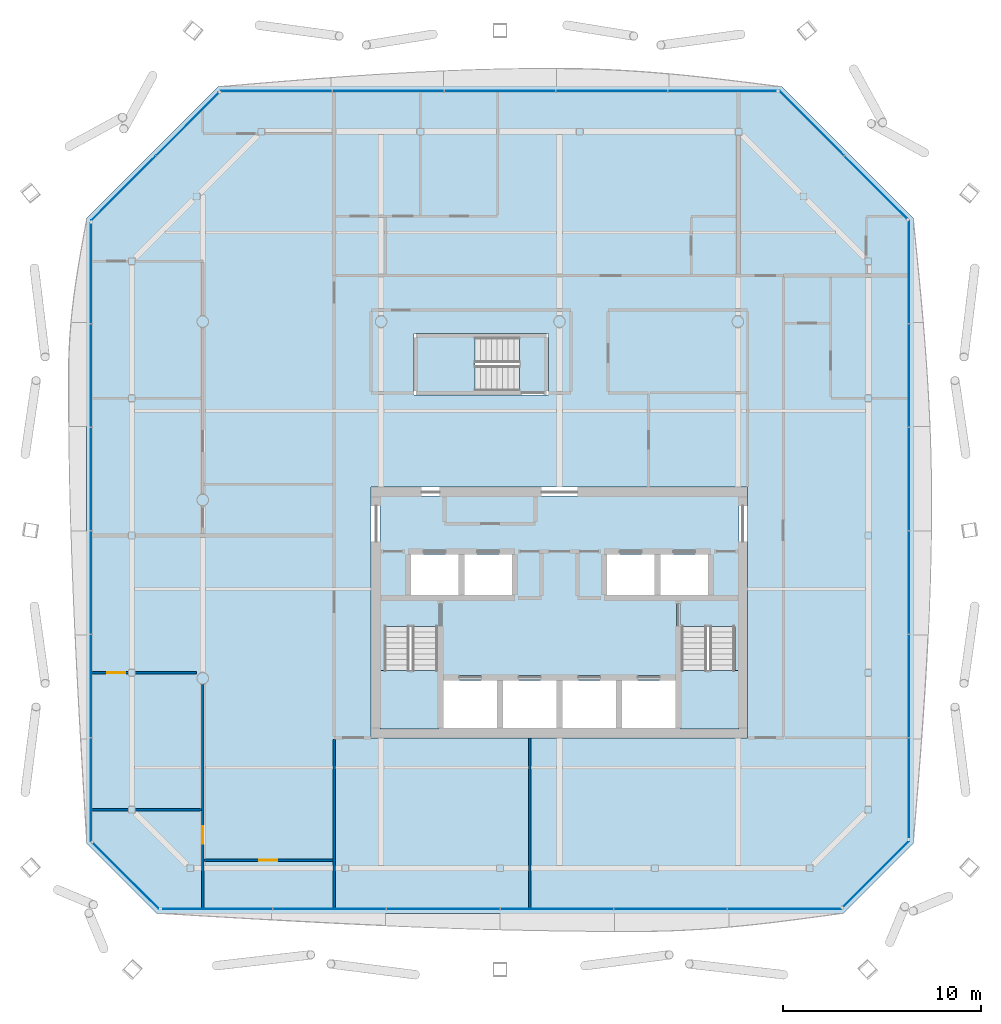
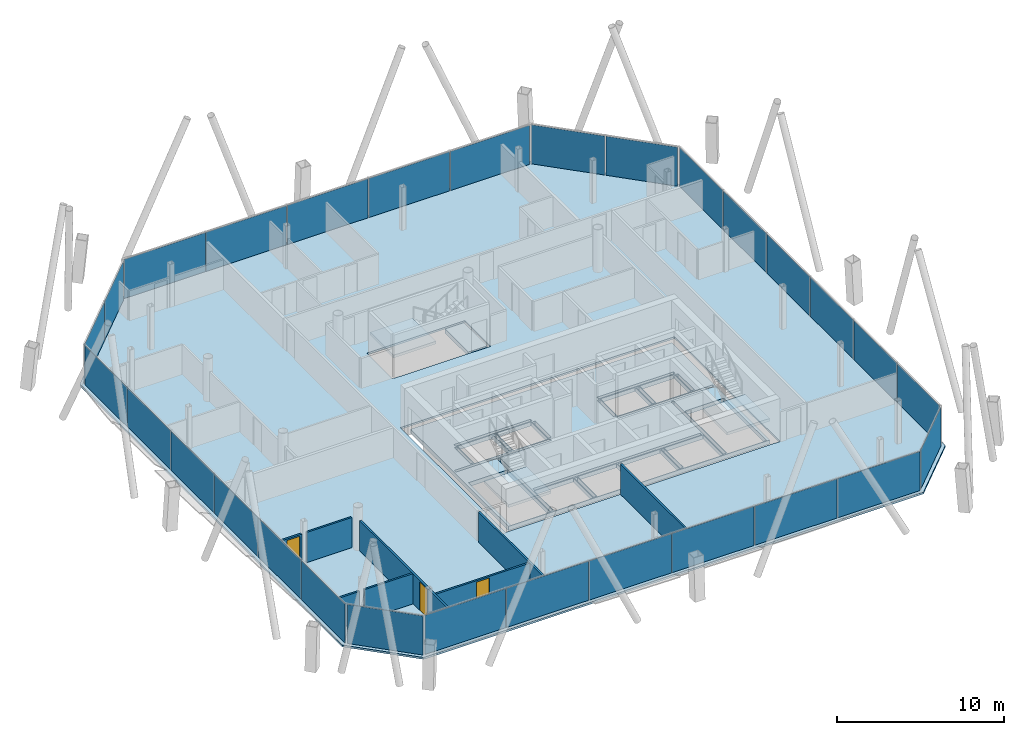
# One storey, part 13 of 20: 29 plates, 8 walls, 6 slabs, 3 doors, 3 openings, 11 elements without a shape of their own.
"""IFC4 building model written with IfcOpenShell, lengths in metres."""

from ifc_helpers import new_model, si_unit, direction, frame, frame_2d, origin, origin_2d, place, context, subcontext, project, spatial, polyline, rectangle, outline, extrude, material, layer, layer_set, type_object, element, fill, aggregate, save


model = new_model("IFC4")

# Units and contexts
model_context = context("Model", 3, precision=1e-05, world=origin(), true_north=direction((0.0, 1.0)))
body_context = subcontext(model_context, "Body", "Model", "MODEL_VIEW")
ifc_project = project(units=[si_unit("LENGTHUNIT", "METRE"), si_unit("AREAUNIT", "SQUARE_METRE"), si_unit("VOLUMEUNIT", "CUBIC_METRE"), si_unit("PLANEANGLEUNIT", "RADIAN"), si_unit("MASSUNIT", "GRAM", prefix="KILO")], contexts=[model_context])

# Site, building, storey
site_placement = place(None, origin())
site = spatial("IfcSite", under=ifc_project, at=site_placement, CompositionType="ELEMENT")
building_placement = place(site_placement, origin())
building = spatial("IfcBuilding", under=site, at=building_placement, Name="Tskaro Facet Tower", CompositionType="ELEMENT")
storey_placement = place(building_placement, frame((0.0, 0.0, 181.64990234375)))
storey = spatial("IfcBuildingStorey", under=building, at=storey_placement, Name="L45", CompositionType="ELEMENT", Elevation=181.64990234375)

# Slab
ifc_material_1 = material(Name="Concrete C30/37", Category="concrete")
ifc_layer_1 = layer(ifc_material_1, 0.139892578125, Name="Concrete C30/37")
ifc_layer_set_1 = layer_set([ifc_layer_1], Name="Concrete C30/37")
slab_type_1 = type_object("IfcSlabType", Name="Composite deck floor slab", PredefinedType="FLOOR", material=ifc_layer_set_1)
slab_1_placement = place(storey_placement, frame((0.0, 0.0, -0.139892578125)))
element("IfcSlab", 1, at=slab_1_placement, inside=storey, type_object=slab_type_1, Name="Floor slab FS3 L45", PredefinedType="FLOOR", context=body_context, shape_type="SweptSolid", body=[
    extrude(outline(polyline([(-20.31298828125, -20.8779296875), (14.31298828125, -20.8779296875), (17.8779296875, -17.31298828125), (17.8779296875, 14.2041015625), (11.2041015625, 20.8779296875), (-17.2041015625, 20.8779296875), (-23.8779296875, 14.2041015625), (-23.8779296875, -17.31298828125), (-20.31298828125, -20.8779296875)]), holes=[polyline([(-9.5, -12.0), (9.5, -12.0), (9.5, 0.64990234375), (-9.5, 0.64990234375), (-9.5, -12.0)]), polyline([(-7.35009765625, 5.300048828125), (-0.550048828125, 5.300048828125), (-0.550048828125, 8.39990234375), (-7.35009765625, 8.39990234375), (-7.35009765625, 5.300048828125)])]), origin(), (0.0, 0.0, 1.0), 0.139892578125),
])

# Curtain wall, plates
ifc_material_2 = material(Name="Bronze anodised aluminium 6063-T6", Category="aluminium")
curtain_wall_type = type_object("IfcCurtainWallType", Name="Bronze residence curtain wall (FW3)", PredefinedType="NOTDEFINED", material=ifc_material_2)
curtain_wall_1_placement = place(storey_placement, origin())
curtain_wall_1 = element("IfcCurtainWall", 2, at=curtain_wall_1_placement, inside=storey, type_object=curtain_wall_type, Name="FW3 south facet L45", PredefinedType="NOTDEFINED")
ifc_material_3 = material(Name="Bronze low-iron glass", Category="glass")
ifc_layer_2 = layer(ifc_material_3, 0.028076171875, Name="Bronze low-iron glass")
ifc_layer_set_2 = layer_set([ifc_layer_2], Name="Bronze low-iron glass")
plate_type = type_object("IfcPlateType", Name="FW3 bronze-tinted unit glazing 28", PredefinedType="CURTAIN_PANEL", material=ifc_layer_set_2)
plate_1_placement = place(storey_placement, frame((-17.283447265625, -20.6279296875, 0.0), z_axis=(0.0, 0.0, 1.0), x_axis=(1.0, 0.0, 0.0)))
plate_1 = element("IfcPlate", 3, at=plate_1_placement, type_object=plate_type, Name="FW3 south glazing 1.1", PredefinedType="CURTAIN_PANEL", context=body_context, shape_type="SweptSolid", body=[
    extrude(rectangle(XDim=5.5712890625, YDim=0.028076171875, at=origin_2d()), origin(), (0.0, 0.0, 1.0), 2.860107421875),
])
plate_2_placement = place(storey_placement, frame((-11.6044921875, -20.6279296875, 0.0), z_axis=(0.0, 0.0, 1.0), x_axis=(1.0, 0.0, 0.0)))
plate_2 = element("IfcPlate", 4, at=plate_2_placement, type_object=plate_type, Name="FW3 south glazing 2.1", PredefinedType="CURTAIN_PANEL", context=body_context, shape_type="SweptSolid", body=[
    extrude(rectangle(XDim=5.686279296875, YDim=0.028076171875, at=origin_2d()), origin(), (0.0, 0.0, 1.0), 2.860107421875),
])
plate_3_placement = place(storey_placement, frame((-5.8681640625, -20.6279296875, 0.0), z_axis=(0.0, 0.0, 1.0), x_axis=(1.0, 0.0, 0.0)))
plate_3 = element("IfcPlate", 5, at=plate_3_placement, type_object=plate_type, Name="FW3 south glazing 3.1", PredefinedType="CURTAIN_PANEL", context=body_context, shape_type="SweptSolid", body=[
    extrude(rectangle(XDim=5.686279296875, YDim=0.028076171875, at=origin_2d()), origin(), (0.0, 0.0, 1.0), 2.860107421875),
])
plate_4_placement = place(storey_placement, frame((-0.1318359375, -20.6279296875, 0.0), z_axis=(0.0, 0.0, 1.0), x_axis=(1.0, 0.0, 0.0)))
plate_4 = element("IfcPlate", 6, at=plate_4_placement, type_object=plate_type, Name="FW3 south glazing 4.1", PredefinedType="CURTAIN_PANEL", context=body_context, shape_type="SweptSolid", body=[
    extrude(rectangle(XDim=5.686279296875, YDim=0.028076171875, at=origin_2d()), origin(), (0.0, 0.0, 1.0), 2.860107421875),
])
plate_5_placement = place(storey_placement, frame((5.6044921875, -20.6279296875, 0.0), z_axis=(0.0, 0.0, 1.0), x_axis=(1.0, 0.0, 0.0)))
plate_5 = element("IfcPlate", 7, at=plate_5_placement, type_object=plate_type, Name="FW3 south glazing 5.1", PredefinedType="CURTAIN_PANEL", context=body_context, shape_type="SweptSolid", body=[
    extrude(rectangle(XDim=5.686279296875, YDim=0.028076171875, at=origin_2d()), origin(), (0.0, 0.0, 1.0), 2.860107421875),
])
plate_6_placement = place(storey_placement, frame((11.353271484375, -20.6279296875, 0.0), z_axis=(0.0, 0.0, 1.0), x_axis=(1.0, 0.0, 0.0)))
plate_6 = element("IfcPlate", 8, at=plate_6_placement, type_object=plate_type, Name="FW3 south glazing 6.1", PredefinedType="CURTAIN_PANEL", context=body_context, shape_type="SweptSolid", body=[
    extrude(rectangle(XDim=5.71142578125, YDim=0.028076171875, at=origin_2d()), origin(), (0.0, 0.0, 1.0), 2.860107421875),
])
aggregate(curtain_wall_1, [plate_1, plate_2, plate_3, plate_4, plate_5, plate_6])

# Curtain wall, plate
curtain_wall_2_placement = place(storey_placement, origin())
curtain_wall_2 = element("IfcCurtainWall", 9, at=curtain_wall_2_placement, inside=storey, type_object=curtain_wall_type, Name="FW3 south-east facet L45", PredefinedType="NOTDEFINED")
plate_7_placement = place(storey_placement, frame((15.968017578125, -18.868896484375, 0.0), z_axis=(0.0, 0.0, 1.0), x_axis=(0.707106781187, 0.707106781187, 0.0)))
plate_7 = element("IfcPlate", 10, at=plate_7_placement, type_object=plate_type, Name="FW3 south-east glazing 1.1", PredefinedType="CURTAIN_PANEL", context=body_context, shape_type="SweptSolid", body=[
    extrude(rectangle(XDim=4.6953125, YDim=0.028076171875, at=origin_2d()), origin(), (0.0, 0.0, 1.0), 2.860107421875),
])
aggregate(curtain_wall_2, [plate_7])

# Curtain wall, plates
curtain_wall_3_placement = place(storey_placement, origin())
curtain_wall_3 = element("IfcCurtainWall", 11, at=curtain_wall_3_placement, inside=storey, type_object=curtain_wall_type, Name="FW3 east facet L45", PredefinedType="NOTDEFINED")
plate_8_placement = place(storey_placement, frame((17.6279296875, -14.54248046875, 0.0), z_axis=(0.0, 0.0, 1.0), x_axis=(0.0, 1.0, 0.0)))
plate_8 = element("IfcPlate", 12, at=plate_8_placement, type_object=plate_type, Name="FW3 east glazing 1.1", PredefinedType="CURTAIN_PANEL", context=body_context, shape_type="SweptSolid", body=[
    extrude(rectangle(XDim=5.05322265625, YDim=0.028076171875, at=origin_2d()), origin(), (0.0, 0.0, 1.0), 2.860107421875),
])
plate_9_placement = place(storey_placement, frame((17.6279296875, -9.3818359375, 0.0), z_axis=(0.0, 0.0, 1.0), x_axis=(0.0, 1.0, 0.0)))
plate_9 = element("IfcPlate", 13, at=plate_9_placement, type_object=plate_type, Name="FW3 east glazing 2.1", PredefinedType="CURTAIN_PANEL", context=body_context, shape_type="SweptSolid", body=[
    extrude(rectangle(XDim=5.168212890625, YDim=0.028076171875, at=origin_2d()), origin(), (0.0, 0.0, 1.0), 2.860107421875),
])
plate_10_placement = place(storey_placement, frame((17.6279296875, -4.16357421875, 0.0), z_axis=(0.0, 0.0, 1.0), x_axis=(0.0, 1.0, 0.0)))
plate_10 = element("IfcPlate", 14, at=plate_10_placement, type_object=plate_type, Name="FW3 east glazing 3.1", PredefinedType="CURTAIN_PANEL", context=body_context, shape_type="SweptSolid", body=[
    extrude(rectangle(XDim=5.168212890625, YDim=0.028076171875, at=origin_2d()), origin(), (0.0, 0.0, 1.0), 2.860107421875),
])
plate_11_placement = place(storey_placement, frame((17.6279296875, 1.0546875, 0.0), z_axis=(0.0, 0.0, 1.0), x_axis=(0.0, 1.0, 0.0)))
plate_11 = element("IfcPlate", 15, at=plate_11_placement, type_object=plate_type, Name="FW3 east glazing 4.1", PredefinedType="CURTAIN_PANEL", context=body_context, shape_type="SweptSolid", body=[
    extrude(rectangle(XDim=5.168212890625, YDim=0.028076171875, at=origin_2d()), origin(), (0.0, 0.0, 1.0), 2.860107421875),
])
plate_12_placement = place(storey_placement, frame((17.6279296875, 6.272705078125, 0.0), z_axis=(0.0, 0.0, 1.0), x_axis=(0.0, 1.0, 0.0)))
plate_12 = element("IfcPlate", 16, at=plate_12_placement, type_object=plate_type, Name="FW3 east glazing 5.1", PredefinedType="CURTAIN_PANEL", context=body_context, shape_type="SweptSolid", body=[
    extrude(rectangle(XDim=5.168212890625, YDim=0.028076171875, at=origin_2d()), origin(), (0.0, 0.0, 1.0), 2.860107421875),
])
plate_13_placement = place(storey_placement, frame((17.6279296875, 11.50341796875, 0.0), z_axis=(0.0, 0.0, 1.0), x_axis=(0.0, 1.0, 0.0)))
plate_13 = element("IfcPlate", 17, at=plate_13_placement, type_object=plate_type, Name="FW3 east glazing 6.1", PredefinedType="CURTAIN_PANEL", context=body_context, shape_type="SweptSolid", body=[
    extrude(rectangle(XDim=5.193115234375, YDim=0.028076171875, at=origin_2d()), origin(), (0.0, 0.0, 1.0), 2.860107421875),
])
aggregate(curtain_wall_3, [plate_8, plate_9, plate_10, plate_11, plate_12, plate_13])

curtain_wall_4_placement = place(storey_placement, origin())
curtain_wall_4 = element("IfcCurtainWall", 18, at=curtain_wall_4_placement, inside=storey, type_object=curtain_wall_type, Name="FW3 north-east facet L45", PredefinedType="NOTDEFINED")
plate_14_placement = place(storey_placement, frame((15.955322265625, 15.772705078125, 0.0), z_axis=(0.0, 0.0, 1.0), x_axis=(-0.707106781187, 0.707106781187, 0.0)))
plate_14 = element("IfcPlate", 19, at=plate_14_placement, type_object=plate_type, Name="FW3 north-east glazing 1.1", PredefinedType="CURTAIN_PANEL", context=body_context, shape_type="SweptSolid", body=[
    extrude(rectangle(XDim=4.450927734375, YDim=0.028076171875, at=origin_2d()), origin(), (0.0, 0.0, 1.0), 2.860107421875),
])
plate_15_placement = place(storey_placement, frame((12.72314453125, 19.0048828125, 0.0), z_axis=(0.0, 0.0, 1.0), x_axis=(-0.707106781187, 0.707106781187, 0.0)))
plate_15 = element("IfcPlate", 20, at=plate_15_placement, type_object=plate_type, Name="FW3 north-east glazing 2.1", PredefinedType="CURTAIN_PANEL", context=body_context, shape_type="SweptSolid", body=[
    extrude(rectangle(XDim=4.591064453125, YDim=0.028076171875, at=origin_2d()), origin(), (0.0, 0.0, 1.0), 2.860107421875),
])
aggregate(curtain_wall_4, [plate_14, plate_15])

curtain_wall_5_placement = place(storey_placement, origin())
curtain_wall_5 = element("IfcCurtainWall", 21, at=curtain_wall_5_placement, inside=storey, type_object=curtain_wall_type, Name="FW3 north facet L45", PredefinedType="NOTDEFINED")
plate_16_placement = place(storey_placement, frame((8.222412109375, 20.6279296875, 0.0), z_axis=(0.0, 0.0, 1.0), x_axis=(-1.0, 0.0, 0.0)))
plate_16 = element("IfcPlate", 22, at=plate_16_placement, type_object=plate_type, Name="FW3 north glazing 1.1", PredefinedType="CURTAIN_PANEL", context=body_context, shape_type="SweptSolid", body=[
    extrude(rectangle(XDim=5.47509765625, YDim=0.028076171875, at=origin_2d()), origin(), (0.0, 0.0, 1.0), 2.860107421875),
])
plate_17_placement = place(storey_placement, frame((2.639892578125, 20.6279296875, 0.0), z_axis=(0.0, 0.0, 1.0), x_axis=(-1.0, 0.0, 0.0)))
plate_17 = element("IfcPlate", 23, at=plate_17_placement, type_object=plate_type, Name="FW3 north glazing 2.1", PredefinedType="CURTAIN_PANEL", context=body_context, shape_type="SweptSolid", body=[
    extrude(rectangle(XDim=5.590087890625, YDim=0.028076171875, at=origin_2d()), origin(), (0.0, 0.0, 1.0), 2.860107421875),
])
plate_18_placement = place(storey_placement, frame((-3.0, 20.6279296875, 0.0), z_axis=(0.0, 0.0, 1.0), x_axis=(-1.0, 0.0, 0.0)))
plate_18 = element("IfcPlate", 24, at=plate_18_placement, type_object=plate_type, Name="FW3 north glazing 3.1", PredefinedType="CURTAIN_PANEL", context=body_context, shape_type="SweptSolid", body=[
    extrude(rectangle(XDim=5.590087890625, YDim=0.028076171875, at=origin_2d()), origin(), (0.0, 0.0, 1.0), 2.860107421875),
])
plate_19_placement = place(storey_placement, frame((-8.639892578125, 20.6279296875, 0.0), z_axis=(0.0, 0.0, 1.0), x_axis=(-1.0, 0.0, 0.0)))
plate_19 = element("IfcPlate", 25, at=plate_19_placement, type_object=plate_type, Name="FW3 north glazing 4.1", PredefinedType="CURTAIN_PANEL", context=body_context, shape_type="SweptSolid", body=[
    extrude(rectangle(XDim=5.590087890625, YDim=0.028076171875, at=origin_2d()), origin(), (0.0, 0.0, 1.0), 2.860107421875),
])
plate_20_placement = place(storey_placement, frame((-14.29248046875, 20.6279296875, 0.0), z_axis=(0.0, 0.0, 1.0), x_axis=(-1.0, 0.0, 0.0)))
plate_20 = element("IfcPlate", 26, at=plate_20_placement, type_object=plate_type, Name="FW3 north glazing 5.1", PredefinedType="CURTAIN_PANEL", context=body_context, shape_type="SweptSolid", body=[
    extrude(rectangle(XDim=5.614990234375, YDim=0.028076171875, at=origin_2d()), origin(), (0.0, 0.0, 1.0), 2.860107421875),
])
aggregate(curtain_wall_5, [plate_16, plate_17, plate_18, plate_19, plate_20])

curtain_wall_6_placement = place(storey_placement, origin())
curtain_wall_6 = element("IfcCurtainWall", 27, at=curtain_wall_6_placement, inside=storey, type_object=curtain_wall_type, Name="FW3 north-west facet L45", PredefinedType="NOTDEFINED")
plate_21_placement = place(storey_placement, frame((-18.772705078125, 18.955322265625, 0.0), z_axis=(0.0, 0.0, 1.0), x_axis=(-0.707106781187, -0.707106781187, 0.0)))
plate_21 = element("IfcPlate", 28, at=plate_21_placement, type_object=plate_type, Name="FW3 north-west glazing 1.1", PredefinedType="CURTAIN_PANEL", context=body_context, shape_type="SweptSolid", body=[
    extrude(rectangle(XDim=4.450927734375, YDim=0.028076171875, at=origin_2d()), origin(), (0.0, 0.0, 1.0), 2.860107421875),
])
plate_22_placement = place(storey_placement, frame((-22.0048828125, 15.72314453125, 0.0), z_axis=(0.0, 0.0, 1.0), x_axis=(-0.707106781187, -0.707106781187, 0.0)))
plate_22 = element("IfcPlate", 29, at=plate_22_placement, type_object=plate_type, Name="FW3 north-west glazing 2.1", PredefinedType="CURTAIN_PANEL", context=body_context, shape_type="SweptSolid", body=[
    extrude(rectangle(XDim=4.591064453125, YDim=0.028076171875, at=origin_2d()), origin(), (0.0, 0.0, 1.0), 2.860107421875),
])
aggregate(curtain_wall_6, [plate_21, plate_22])

curtain_wall_7_placement = place(storey_placement, origin())
curtain_wall_7 = element("IfcCurtainWall", 30, at=curtain_wall_7_placement, inside=storey, type_object=curtain_wall_type, Name="FW3 west facet L45", PredefinedType="NOTDEFINED")
plate_23_placement = place(storey_placement, frame((-23.6279296875, 11.433349609375, 0.0), z_axis=(0.0, 0.0, 1.0), x_axis=(0.0, -1.0, 0.0)))
plate_23 = element("IfcPlate", 31, at=plate_23_placement, type_object=plate_type, Name="FW3 west glazing 1.1", PredefinedType="CURTAIN_PANEL", context=body_context, shape_type="SweptSolid", body=[
    extrude(rectangle(XDim=5.05322265625, YDim=0.028076171875, at=origin_2d()), origin(), (0.0, 0.0, 1.0), 2.860107421875),
])
plate_24_placement = place(storey_placement, frame((-23.6279296875, 6.272705078125, 0.0), z_axis=(0.0, 0.0, 1.0), x_axis=(0.0, -1.0, 0.0)))
plate_24 = element("IfcPlate", 32, at=plate_24_placement, type_object=plate_type, Name="FW3 west glazing 2.1", PredefinedType="CURTAIN_PANEL", context=body_context, shape_type="SweptSolid", body=[
    extrude(rectangle(XDim=5.168212890625, YDim=0.028076171875, at=origin_2d()), origin(), (0.0, 0.0, 1.0), 2.860107421875),
])
plate_25_placement = place(storey_placement, frame((-23.6279296875, 1.0546875, 0.0), z_axis=(0.0, 0.0, 1.0), x_axis=(0.0, -1.0, 0.0)))
plate_25 = element("IfcPlate", 33, at=plate_25_placement, type_object=plate_type, Name="FW3 west glazing 3.1", PredefinedType="CURTAIN_PANEL", context=body_context, shape_type="SweptSolid", body=[
    extrude(rectangle(XDim=5.168212890625, YDim=0.028076171875, at=origin_2d()), origin(), (0.0, 0.0, 1.0), 2.860107421875),
])
plate_26_placement = place(storey_placement, frame((-23.6279296875, -4.16357421875, 0.0), z_axis=(0.0, 0.0, 1.0), x_axis=(0.0, -1.0, 0.0)))
plate_26 = element("IfcPlate", 34, at=plate_26_placement, type_object=plate_type, Name="FW3 west glazing 4.1", PredefinedType="CURTAIN_PANEL", context=body_context, shape_type="SweptSolid", body=[
    extrude(rectangle(XDim=5.168212890625, YDim=0.028076171875, at=origin_2d()), origin(), (0.0, 0.0, 1.0), 2.860107421875),
])
plate_27_placement = place(storey_placement, frame((-23.6279296875, -9.3818359375, 0.0), z_axis=(0.0, 0.0, 1.0), x_axis=(0.0, -1.0, 0.0)))
plate_27 = element("IfcPlate", 35, at=plate_27_placement, type_object=plate_type, Name="FW3 west glazing 5.1", PredefinedType="CURTAIN_PANEL", context=body_context, shape_type="SweptSolid", body=[
    extrude(rectangle(XDim=5.168212890625, YDim=0.028076171875, at=origin_2d()), origin(), (0.0, 0.0, 1.0), 2.860107421875),
])
plate_28_placement = place(storey_placement, frame((-23.6279296875, -14.6123046875, 0.0), z_axis=(0.0, 0.0, 1.0), x_axis=(0.0, -1.0, 0.0)))
plate_28 = element("IfcPlate", 36, at=plate_28_placement, type_object=plate_type, Name="FW3 west glazing 6.1", PredefinedType="CURTAIN_PANEL", context=body_context, shape_type="SweptSolid", body=[
    extrude(rectangle(XDim=5.193115234375, YDim=0.028076171875, at=origin_2d()), origin(), (0.0, 0.0, 1.0), 2.860107421875),
])
aggregate(curtain_wall_7, [plate_23, plate_24, plate_25, plate_26, plate_27, plate_28])

# Curtain wall, plate
curtain_wall_8_placement = place(storey_placement, origin())
curtain_wall_8 = element("IfcCurtainWall", 37, at=curtain_wall_8_placement, inside=storey, type_object=curtain_wall_type, Name="FW3 south-west facet L45", PredefinedType="NOTDEFINED")
plate_29_placement = place(storey_placement, frame((-21.868896484375, -18.968017578125, 0.0), z_axis=(0.0, 0.0, 1.0), x_axis=(0.707106781187, -0.707106781187, 0.0)))
plate_29 = element("IfcPlate", 38, at=plate_29_placement, type_object=plate_type, Name="FW3 south-west glazing 1.1", PredefinedType="CURTAIN_PANEL", context=body_context, shape_type="SweptSolid", body=[
    extrude(rectangle(XDim=4.6953125, YDim=0.028076171875, at=origin_2d()), origin(), (0.0, 0.0, 1.0), 2.860107421875),
])
aggregate(curtain_wall_8, [plate_29])

# Stair, slab
ifc_material_4 = material(Name="Concrete C40/50", Category="concrete")
stair_type = type_object("IfcStairType", Name="ST-TWR", PredefinedType="HALF_TURN_STAIR", material=ifc_material_4)
stair_1_placement = place(storey_placement, origin())
stair_1 = element("IfcStair", 39, at=stair_1_placement, inside=storey, type_object=stair_type, Name="L45 Exit stair 1", PredefinedType="HALF_TURN_STAIR")
ifc_layer_3 = layer(ifc_material_4, 0.199951171875, Name="Concrete C40/50")
ifc_layer_set_3 = layer_set([ifc_layer_3], Name="Concrete C40/50")
slab_type_2 = type_object("IfcSlabType", Name="SL-LANDING", PredefinedType="LANDING", material=ifc_layer_set_3)
slab_2_placement = place(storey_placement, frame((0.0, 0.0, 1.375)))
slab_2 = element("IfcSlab", 40, at=slab_2_placement, type_object=slab_type_2, Name="ST-1 landing 1", PredefinedType="LANDING", context=body_context, shape_type="SweptSolid", body=[
    extrude(outline(polyline([(-9.050048828125, -11.550048828125), (-6.10009765625, -11.550048828125), (-6.10009765625, -8.614990234375), (-9.050048828125, -8.614990234375), (-9.050048828125, -11.550048828125)])), origin(), (0.0, 0.0, 1.0), 0.2001953125),
])
aggregate(stair_1, [slab_2])

stair_2_placement = place(storey_placement, origin())
stair_2 = element("IfcStair", 41, at=stair_2_placement, inside=storey, type_object=stair_type, Name="L45 Exit stair 2", PredefinedType="HALF_TURN_STAIR")
slab_3_placement = place(storey_placement, frame((0.0, 0.0, 1.375)))
slab_3 = element("IfcSlab", 42, at=slab_3_placement, type_object=slab_type_2, Name="ST-2 landing 1", PredefinedType="LANDING", context=body_context, shape_type="SweptSolid", body=[
    extrude(outline(polyline([(6.10009765625, -11.550048828125), (9.050048828125, -11.550048828125), (9.050048828125, -8.614990234375), (6.10009765625, -8.614990234375), (6.10009765625, -11.550048828125)])), origin(), (0.0, 0.0, 1.0), 0.2001953125),
])
aggregate(stair_2, [slab_3])

stair_3_placement = place(storey_placement, origin())
stair_3 = element("IfcStair", 43, at=stair_3_placement, inside=storey, type_object=stair_type, Name="L45 Exit stair 3", PredefinedType="HALF_TURN_STAIR")
slab_4_placement = place(storey_placement, frame((0.0, 0.0, 1.375)))
slab_4 = element("IfcSlab", 44, at=slab_4_placement, type_object=slab_type_2, Name="ST-3 landing 1", PredefinedType="LANDING", context=body_context, shape_type="SweptSolid", body=[
    extrude(outline(polyline([(-7.199951171875, 5.449951171875), (-4.264892578125, 5.449951171875), (-4.264892578125, 8.25), (-7.199951171875, 8.25), (-7.199951171875, 5.449951171875)])), origin(), (0.0, 0.0, 1.0), 0.2001953125),
])
aggregate(stair_3, [slab_4])

# Slabs
ifc_material_5 = material(Name="Concrete C60/75", Category="concrete")
ifc_layer_4 = layer(ifc_material_5, 0.300048828125, Name="Concrete C60/75")
ifc_layer_set_4 = layer_set([ifc_layer_4], Name="Concrete C60/75")
slab_type_3 = type_object("IfcSlabType", Name="SLAB-CORE", PredefinedType="FLOOR", material=ifc_layer_set_4)
slab_5_placement = place(storey_placement, frame((0.0, 0.0, -0.2998046875)))
element("IfcSlab", 45, at=slab_5_placement, inside=storey, type_object=slab_type_3, Name="Core floor slab 1", PredefinedType="FLOOR", context=body_context, shape_type="SweptSolid", body=[
    extrude(outline(polyline([(-9.050048828125, 0.199951171875), (9.050048828125, 0.199951171875), (9.050048828125, 0.10009765625), (9.050048828125, -11.449951171875), (9.050048828125, -11.550048828125), (-9.050048828125, -11.550048828125), (-9.050048828125, -11.449951171875), (-9.050048828125, 0.10009765625), (-9.050048828125, 0.199951171875)]), holes=[polyline([(-5.85009765625, -9.10009765625), (-5.85009765625, -11.5), (-3.14990234375, -11.5), (-3.14990234375, -9.10009765625), (-5.85009765625, -9.10009765625)]), polyline([(-3.10009765625, -11.449951171875), (-2.89990234375, -11.449951171875), (-2.89990234375, -9.14990234375), (-3.10009765625, -9.14990234375), (-3.10009765625, -11.449951171875)]), polyline([(-2.85009765625, -9.10009765625), (-2.85009765625, -11.5), (-0.14990234375, -11.5), (-0.14990234375, -9.10009765625), (-2.85009765625, -9.10009765625)]), polyline([(-6.10009765625, -11.449951171875), (-5.89990234375, -11.449951171875), (-5.89990234375, -5.14990234375), (-6.10009765625, -5.14990234375), (-6.10009765625, -11.449951171875)]), polyline([(-8.949951171875, -5.050048828125), (-2.300048828125, -5.050048828125), (-2.300048828125, -4.85009765625), (-8.949951171875, -4.85009765625), (-8.949951171875, -5.050048828125)]), polyline([(-7.75, -4.75), (-7.550048828125, -4.75), (-7.550048828125, -2.800048828125), (-7.75, -2.800048828125), (-7.75, -4.75)]), polyline([(-7.5, -2.75), (-7.5, -4.800048828125), (-5.10009765625, -4.800048828125), (-5.10009765625, -2.75), (-7.5, -2.75)]), polyline([(-5.050048828125, -4.75), (-4.85009765625, -4.75), (-4.85009765625, -2.800048828125), (-5.050048828125, -2.800048828125), (-5.050048828125, -4.75)]), polyline([(-2.39990234375, -2.75), (-4.800048828125, -2.75), (-4.800048828125, -4.800048828125), (-2.39990234375, -4.800048828125), (-2.39990234375, -2.75)]), polyline([(-2.35009765625, -4.75), (-2.14990234375, -4.75), (-2.14990234375, -2.800048828125), (-2.35009765625, -2.800048828125), (-2.35009765625, -4.75)]), polyline([(-7.60009765625, -2.699951171875), (-2.300048828125, -2.699951171875), (-2.300048828125, -2.5), (-7.60009765625, -2.5), (-7.60009765625, -2.699951171875)]), polyline([(-0.10009765625, -11.449951171875), (0.10009765625, -11.449951171875), (0.10009765625, -9.14990234375), (-0.10009765625, -9.14990234375), (-0.10009765625, -11.449951171875)]), polyline([(0.14990234375, -9.10009765625), (0.14990234375, -11.5), (2.85009765625, -11.5), (2.85009765625, -9.10009765625), (0.14990234375, -9.10009765625)]), polyline([(2.89990234375, -11.449951171875), (3.10009765625, -11.449951171875), (3.10009765625, -9.14990234375), (2.89990234375, -9.14990234375), (2.89990234375, -11.449951171875)]), polyline([(3.14990234375, -9.10009765625), (3.14990234375, -11.5), (5.85009765625, -11.5), (5.85009765625, -9.10009765625), (3.14990234375, -9.10009765625)]), polyline([(-5.800048828125, -9.050048828125), (5.800048828125, -9.050048828125), (5.800048828125, -8.85009765625), (-5.800048828125, -8.85009765625), (-5.800048828125, -9.050048828125)]), polyline([(5.89990234375, -11.449951171875), (6.10009765625, -11.449951171875), (6.10009765625, -5.14990234375), (5.89990234375, -5.14990234375), (5.89990234375, -11.449951171875)]), polyline([(2.300048828125, -5.050048828125), (8.949951171875, -5.050048828125), (8.949951171875, -4.85009765625), (2.300048828125, -4.85009765625), (2.300048828125, -5.050048828125)]), polyline([(2.14990234375, -4.75), (2.35009765625, -4.75), (2.35009765625, -2.800048828125), (2.14990234375, -2.800048828125), (2.14990234375, -4.75)]), polyline([(2.39990234375, -2.75), (2.39990234375, -4.800048828125), (4.800048828125, -4.800048828125), (4.800048828125, -2.75), (2.39990234375, -2.75)]), polyline([(4.85009765625, -4.75), (5.050048828125, -4.75), (5.050048828125, -2.800048828125), (4.85009765625, -2.800048828125), (4.85009765625, -4.75)]), polyline([(5.10009765625, -4.800048828125), (7.5, -4.800048828125), (7.5, -2.75), (5.10009765625, -2.75), (5.10009765625, -4.800048828125)]), polyline([(7.550048828125, -4.75), (7.75, -4.75), (7.75, -2.800048828125), (7.550048828125, -2.800048828125), (7.550048828125, -4.75)]), polyline([(2.300048828125, -2.699951171875), (7.60009765625, -2.699951171875), (7.60009765625, -2.5), (2.300048828125, -2.5), (2.300048828125, -2.699951171875)]), polyline([(-8.85009765625, -11.5), (-6.14990234375, -11.5), (-6.14990234375, -6.39501953125), (-8.85009765625, -6.39501953125), (-8.85009765625, -11.5)]), polyline([(6.14990234375, -6.39501953125), (6.14990234375, -11.5), (8.85009765625, -11.5), (8.85009765625, -6.39501953125), (6.14990234375, -6.39501953125)])]), origin(), (0.0, 0.0, 1.0), 0.2998046875),
])
slab_6_placement = place(storey_placement, frame((0.0, 0.0, -0.2998046875)))
element("IfcSlab", 46, at=slab_6_placement, inside=storey, type_object=slab_type_3, Name="Stair 3 floor landing 1", PredefinedType="FLOOR", context=body_context, shape_type="SweptSolid", body=[
    extrude(outline(polyline([(-2.02490234375, 5.449951171875), (-0.699951171875, 5.449951171875), (-0.699951171875, 8.25), (-2.02490234375, 8.25), (-2.02490234375, 5.449951171875)])), origin(), (0.0, 0.0, 1.0), 0.2998046875),
])

# Wall, opening, door
ifc_material_6 = material(Name="Gypsum board on steel studs", Category="steel")
ifc_layer_5 = layer(ifc_material_6, 0.125, Name="Gypsum board on steel studs")
ifc_layer_set_5 = layer_set([ifc_layer_5], Name="Gypsum board on steel studs")
wall_type = type_object("IfcWallType", Name="PART", PredefinedType="PARTITIONING", material=ifc_layer_set_5)
wall_1_placement = place(storey_placement, frame((-11.4375, -18.179931640625, 0.0), z_axis=(0.0, 0.0, 1.0), x_axis=(-1.0, 0.0, 0.0)))
wall_1 = element("IfcWall", 47, at=wall_1_placement, inside=storey, type_object=wall_type, Name="Partition W001", PredefinedType="PARTITIONING", context=body_context, shape_type="SweptSolid", body=[
    extrude(rectangle(XDim=6.5, YDim=0.125, at=frame_2d((3.25, 0.0))), origin(), (0.0, 0.0, 1.0), 2.210205078125),
])
opening_1_placement = place(wall_1_placement, frame((2.800048828125, 0.0, 0.0)))
opening_1 = element("IfcOpeningElement", 48, at=opening_1_placement, cuts=wall_1, Name="Opening T13-D01", PredefinedType="OPENING", context=body_context, shape_type="SweptSolid", body=[
    extrude(rectangle(XDim=0.89990234375, YDim=2.10009765625, at=frame_2d((0.449951171875, 1.050048828125))), frame((0.0, 0.072509765625, 0.0), z_axis=(0.0, -1.0, 0.0), x_axis=(1.0, 0.0, 0.0)), (0.0, 0.0, 1.0), 0.14501953125),
])
ifc_material_7 = material(Name="Timber", Category="wood")
door_type = type_object("IfcDoorType", Name="D-ROOM", OperationType="NOTDEFINED", PredefinedType="DOOR", material=ifc_material_7)
door_1_placement = place(opening_1_placement, origin())
door_1 = element("IfcDoor", 49, at=door_1_placement, inside=storey, type_object=door_type, Name="Door T13-D01", OperationType="SINGLE_SWING_RIGHT", OverallHeight=2.10009765625, OverallWidth=0.89990234375, PredefinedType="DOOR", context=body_context, shape_type="SweptSolid", body=[
    extrude(rectangle(XDim=0.89990234375, YDim=2.10009765625, at=frame_2d((0.449951171875, 1.050048828125))), frame((0.0, 0.02490234375, 0.0), z_axis=(0.0, -1.0, 0.0), x_axis=(1.0, 0.0, 0.0)), (0.0, 0.0, 1.0), 0.050048828125),
])
fill(opening_1, door_1)

# Walls
wall_2_placement = place(storey_placement, frame((-23.577880859375, -15.635009765625, 0.0), z_axis=(0.0, 0.0, 1.0), x_axis=(1.0, 0.0, 0.0)))
element("IfcWall", 50, at=wall_2_placement, inside=storey, type_object=wall_type, Name="Partition W002", PredefinedType="PARTITIONING", context=body_context, shape_type="SweptSolid", body=[
    extrude(rectangle(XDim=1.81982421875, YDim=0.125, at=frame_2d((0.909912109375, 0.0))), origin(), (0.0, 0.0, 1.0), 2.210205078125),
])
wall_3_placement = place(storey_placement, frame((-21.407958984375, -15.635009765625, 0.0), z_axis=(0.0, 0.0, 1.0), x_axis=(1.0, 0.0, 0.0)))
element("IfcWall", 51, at=wall_3_placement, inside=storey, type_object=wall_type, Name="Partition W003", PredefinedType="PARTITIONING", context=body_context, shape_type="SweptSolid", body=[
    extrude(rectangle(XDim=3.345458984375, YDim=0.125, at=frame_2d((1.6728515625, 0.0))), origin(), (0.0, 0.0, 1.0), 2.210205078125),
])

# Wall, opening, door
wall_4_placement = place(storey_placement, frame((-21.758056640625, -8.715087890625, 0.0), z_axis=(0.0, 0.0, 1.0), x_axis=(-1.0, 0.0, 0.0)))
wall_4 = element("IfcWall", 52, at=wall_4_placement, inside=storey, type_object=wall_type, Name="Partition W008", PredefinedType="PARTITIONING", context=body_context, shape_type="SweptSolid", body=[
    extrude(rectangle(XDim=1.81982421875, YDim=0.125, at=frame_2d((0.909912109375, 0.0))), origin(), (0.0, 0.0, 1.0), 2.210205078125),
])
opening_2_placement = place(wall_4_placement, frame((0.14990234375, 0.0, 0.0)))
opening_2 = element("IfcOpeningElement", 53, at=opening_2_placement, cuts=wall_4, Name="Opening T13-D05", PredefinedType="OPENING", context=body_context, shape_type="SweptSolid", body=[
    extrude(rectangle(XDim=0.89990234375, YDim=2.10009765625, at=frame_2d((0.449951171875, 1.050048828125))), frame((0.0, 0.072509765625, 0.0), z_axis=(0.0, -1.0, 0.0), x_axis=(1.0, 0.0, 0.0)), (0.0, 0.0, 1.0), 0.14501953125),
])
door_2_placement = place(opening_2_placement, origin())
door_2 = element("IfcDoor", 54, at=door_2_placement, inside=storey, type_object=door_type, Name="Door T13-D05", OperationType="SINGLE_SWING_RIGHT", OverallHeight=2.10009765625, OverallWidth=0.89990234375, PredefinedType="DOOR", context=body_context, shape_type="SweptSolid", body=[
    extrude(rectangle(XDim=0.89990234375, YDim=2.10009765625, at=frame_2d((0.449951171875, 1.050048828125))), frame((0.0, 0.02490234375, 0.0), z_axis=(0.0, -1.0, 0.0), x_axis=(1.0, 0.0, 0.0)), (0.0, 0.0, 1.0), 0.050048828125),
])
fill(opening_2, door_2)

# Wall
wall_5_placement = place(storey_placement, frame((-21.407958984375, -8.715087890625, 0.0), z_axis=(0.0, 0.0, 1.0), x_axis=(1.0, 0.0, 0.0)))
element("IfcWall", 55, at=wall_5_placement, inside=storey, type_object=wall_type, Name="Partition W009", PredefinedType="PARTITIONING", context=body_context, shape_type="SweptSolid", body=[
    extrude(rectangle(XDim=3.10302734375, YDim=0.125, at=frame_2d((1.551513671875, 0.0))), origin(), (0.0, 0.0, 1.0), 2.210205078125),
])

# Wall, opening, door
wall_6_placement = place(storey_placement, frame((-18.0, -20.577880859375, 0.0), z_axis=(0.0, 0.0, 1.0), x_axis=(0.0, 1.0, 0.0)))
wall_6 = element("IfcWall", 56, at=wall_6_placement, inside=storey, type_object=wall_type, Name="Partition W045", PredefinedType="PARTITIONING", context=body_context, shape_type="SweptSolid", body=[
    extrude(rectangle(XDim=11.27294921875, YDim=0.125, at=frame_2d((5.636474609375, 0.0))), origin(), (0.0, 0.0, 1.0), 2.210205078125),
])
opening_3_placement = place(wall_6_placement, frame((3.220458984375, 0.0, 0.0)))
opening_3 = element("IfcOpeningElement", 57, at=opening_3_placement, cuts=wall_6, Name="Opening T13-D02", PredefinedType="OPENING", context=body_context, shape_type="SweptSolid", body=[
    extrude(rectangle(XDim=0.89990234375, YDim=2.10009765625, at=frame_2d((0.449951171875, 1.050048828125))), frame((0.0, 0.072509765625, 0.0), z_axis=(0.0, -1.0, 0.0), x_axis=(1.0, 0.0, 0.0)), (0.0, 0.0, 1.0), 0.14501953125),
])
door_3_placement = place(opening_3_placement, origin())
door_3 = element("IfcDoor", 58, at=door_3_placement, inside=storey, type_object=door_type, Name="Door T13-D02", OperationType="SINGLE_SWING_RIGHT", OverallHeight=2.10009765625, OverallWidth=0.89990234375, PredefinedType="DOOR", context=body_context, shape_type="SweptSolid", body=[
    extrude(rectangle(XDim=0.89990234375, YDim=2.10009765625, at=frame_2d((0.449951171875, 1.050048828125))), frame((0.0, 0.02490234375, 0.0), z_axis=(0.0, -1.0, 0.0), x_axis=(1.0, 0.0, 0.0)), (0.0, 0.0, 1.0), 0.050048828125),
])
fill(opening_3, door_3)

# Walls
wall_7_placement = place(storey_placement, frame((-11.375, -20.577880859375, 0.0), z_axis=(0.0, 0.0, 1.0), x_axis=(0.0, 1.0, 0.0)))
element("IfcWall", 59, at=wall_7_placement, inside=storey, type_object=wall_type, Name="Partition W050", PredefinedType="PARTITIONING", context=body_context, shape_type="SweptSolid", body=[
    extrude(rectangle(XDim=8.5029296875, YDim=0.125, at=frame_2d((4.25146484375, 0.0))), origin(), (0.0, 0.0, 1.0), 2.210205078125),
])
wall_8_placement = place(storey_placement, frame((-1.5, -20.577880859375, 0.0), z_axis=(0.0, 0.0, 1.0), x_axis=(0.0, 1.0, 0.0)))
element("IfcWall", 60, at=wall_8_placement, inside=storey, type_object=wall_type, Name="Partition W065", PredefinedType="PARTITIONING", context=body_context, shape_type="SweptSolid", body=[
    extrude(rectangle(XDim=8.577880859375, YDim=0.125, at=frame_2d((4.2890625, 0.0))), origin(), (0.0, 0.0, 1.0), 2.210205078125),
])

save(model, "model.ifc")
